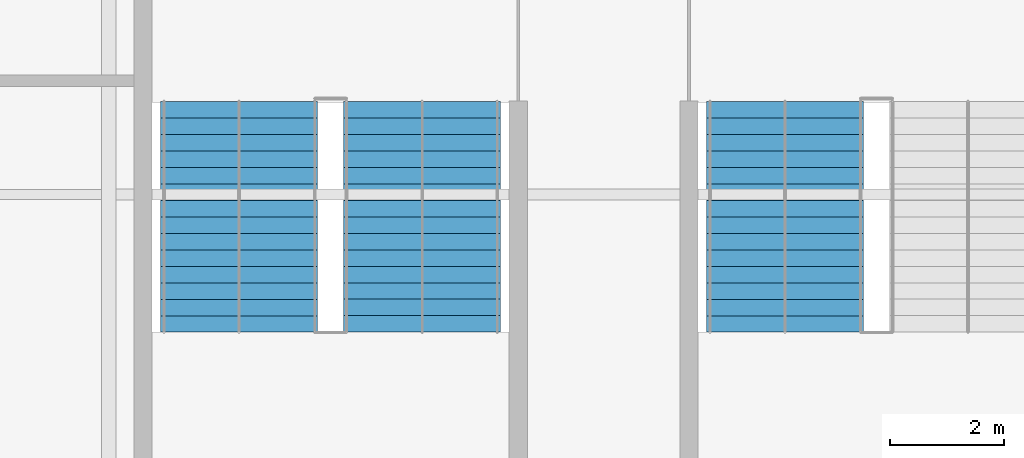
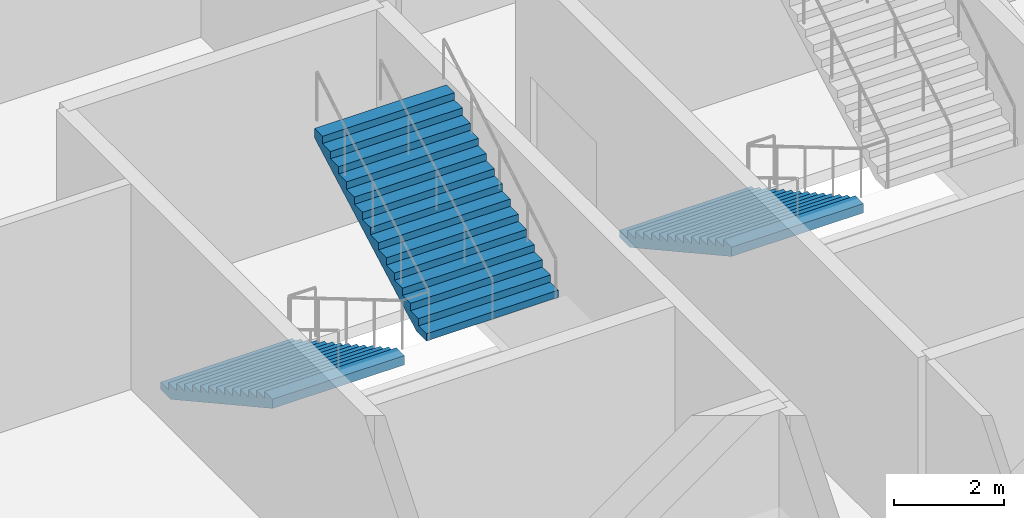
# One storey, part 124 of 136: 3 stair flights, 2 elements without a shape of their own.
"""IFC4 building model written with IfcOpenShell, lengths in metres."""

from ifc_helpers import new_model, si_unit, direction, frame, origin, place, context, subcontext, project, spatial, polygons, material, type_object, element, aggregate, save


model = new_model("IFC4")

# Units and contexts
model_context = context("Model", 3, precision=1e-05, world=origin(), true_north=direction((0.0, 1.0)))
body_context = subcontext(model_context, "Body", "Model", "MODEL_VIEW")
ifc_project = project(units=[si_unit("LENGTHUNIT", "METRE"), si_unit("AREAUNIT", "SQUARE_METRE"), si_unit("VOLUMEUNIT", "CUBIC_METRE"), si_unit("PLANEANGLEUNIT", "RADIAN"), si_unit("MASSUNIT", "GRAM", prefix="KILO")], contexts=[model_context])

# Site, building, storey
site_placement = place(None, origin())
site = spatial("IfcSite", under=ifc_project, at=site_placement, CompositionType="ELEMENT")
building_placement = place(site_placement, origin())
building = spatial("IfcBuilding", under=site, at=building_placement, Name="Kisiwana Market Hall", CompositionType="ELEMENT")
storey_placement = place(building_placement, frame((0.0, 0.0, 16.800048828125)))
storey = spatial("IfcBuildingStorey", under=building, at=storey_placement, Name="L03", CompositionType="ELEMENT", Elevation=16.800048828125)

# Stair, stair flight
ifc_material_1 = material(Name="Concrete C32/40", Category="concrete")
stair_type = type_object("IfcStairType", Name="ST-ESC-4800", PredefinedType="TWO_STRAIGHT_RUN_STAIR", material=ifc_material_1)
stair_1_placement = place(storey_placement, origin())
stair_1 = element("IfcStair", 1, at=stair_1_placement, inside=storey, type_object=stair_type, Name="Escape stair ST-E4-L03", PredefinedType="TWO_STRAIGHT_RUN_STAIR")
ifc_material_2 = material(Name="Concrete C32/40", Category="concrete")
stair_flight_type = type_object("IfcStairFlightType", Name="SF-ESC-4800", PredefinedType="STRAIGHT", material=ifc_material_2)
stair_flight_1_placement = place(storey_placement, frame((182.889892578125, 77.639892578125, 0.0), z_axis=(0.0, 0.0, 1.0), x_axis=(0.0, -1.0, 0.0)))
stair_flight_1 = element("IfcStairFlight", 2, at=stair_flight_1_placement, type_object=stair_flight_type, Name="ST-E4-L03 flight 1", NumberOfRisers=15, NumberOfTreads=14, PredefinedType="STRAIGHT", RiserHeight=0.16, TreadLength=0.29, context=body_context, shape_type="Tessellation", body=[
    polygons([(0.0, -1.380127, 0.0), (0.0, -0.690125, 0.0), (0.0, -0.000122, 0.0), (0.0, 0.68988, 0.0), (0.0, 1.379883, 0.0), (0.0, -1.380127, 0.159912), (0.0, -0.690125, 0.159912), (0.0, -0.000122, 0.159912), (0.0, 0.68988, 0.159912), (0.0, 1.379883, 0.159912), (0.290039, -1.380127, 0.159912), (0.290039, -0.690125, 0.159912), (0.290039, -0.000122, 0.159912), (0.290039, 0.68988, 0.159912), (0.290039, 1.379883, 0.159912), (0.290039, -1.380127, 0.320068), (0.290039, -0.690125, 0.320068), (0.290039, -0.000122, 0.320068), (0.290039, 0.68988, 0.320068), (0.290039, 1.379883, 0.320068), (0.580078, -1.380127, 0.320068), (0.580078, -0.690125, 0.320068), (0.580078, -0.000122, 0.320068), (0.580078, 0.68988, 0.320068), (0.580078, 1.379883, 0.320068), (0.580078, -1.380127, 0.47998), (0.580078, -0.690125, 0.47998), (0.580078, -0.000122, 0.47998), (0.580078, 0.68988, 0.47998), (0.580078, 1.379883, 0.47998), (0.870117, -1.380127, 0.47998), (0.870117, -0.690125, 0.47998), (0.870117, -0.000122, 0.47998), (0.870117, 0.68988, 0.47998), (0.870117, 1.379883, 0.47998), (0.870117, -1.380127, 0.639893), (0.870117, -0.690125, 0.639893), (0.870117, -0.000122, 0.639893), (0.870117, 0.68988, 0.639893), (0.870117, 1.379883, 0.639893), (1.159912, -1.380127, 0.639893), (1.159912, -0.690125, 0.639893), (1.159912, -0.000122, 0.639893), (1.159912, 0.68988, 0.639893), (1.159912, 1.379883, 0.639893), (1.159912, -1.380127, 0.800049), (1.159912, -0.690125, 0.800049), (1.159912, -0.000122, 0.800049), (1.159912, 0.68988, 0.800049), (1.159912, 1.379883, 0.800049), (1.449951, -1.380127, 0.800049), (1.449951, -0.690125, 0.800049), (1.449951, -0.000122, 0.800049), (1.449951, 0.68988, 0.800049), (1.449951, 1.379883, 0.800049), (1.449951, -1.380127, 0.959961), (1.449951, -0.690125, 0.959961), (1.449951, -0.000122, 0.959961), (1.449951, 0.68988, 0.959961), (1.449951, 1.379883, 0.959961), (1.73999, -1.380127, 0.959961), (1.73999, -0.690125, 0.959961), (1.73999, -0.000122, 0.959961), (1.73999, 0.68988, 0.959961), (1.73999, 1.379883, 0.959961), (1.73999, -1.380127, 1.120117), (1.73999, -0.690125, 1.120117), (1.73999, -0.000122, 1.120117), (1.73999, 0.68988, 1.120117), (1.73999, 1.379883, 1.120117), (2.030029, -1.380127, 1.120117), (2.030029, -0.690125, 1.120117), (2.030029, -0.000122, 1.120117), (2.030029, 0.68988, 1.120117), (2.030029, 1.379883, 1.120117), (2.030029, -1.380127, 1.280029), (2.030029, -0.690125, 1.280029), (2.030029, -0.000122, 1.280029), (2.030029, 0.68988, 1.280029), (2.030029, 1.379883, 1.280029), (2.320068, -1.380127, 1.280029), (2.320068, -0.690125, 1.280029), (2.320068, -0.000122, 1.280029), (2.320068, 0.68988, 1.280029), (2.320068, 1.379883, 1.280029), (2.320068, -1.380127, 1.439941), (2.320068, -0.690125, 1.439941), (2.320068, -0.000122, 1.439941), (2.320068, 0.68988, 1.439941), (2.320068, 1.379883, 1.439941), (2.610107, -1.380127, 1.439941), (2.610107, -0.690125, 1.439941), (2.610107, -0.000122, 1.439941), (2.610107, 0.68988, 1.439941), (2.610107, 1.379883, 1.439941), (2.610107, -1.380127, 1.600098), (2.610107, -0.690125, 1.600098), (2.610107, -0.000122, 1.600098), (2.610107, 0.68988, 1.600098), (2.610107, 1.379883, 1.600098), (2.899902, -1.380127, 1.600098), (2.899902, -0.690125, 1.600098), (2.899902, -0.000122, 1.600098), (2.899902, 0.68988, 1.600098), (2.899902, 1.379883, 1.600098), (2.899902, -1.380127, 1.76001), (2.899902, -0.690125, 1.76001), (2.899902, -0.000122, 1.76001), (2.899902, 0.68988, 1.76001), (2.899902, 1.379883, 1.76001), (3.189941, -1.380127, 1.76001), (3.189941, -0.690125, 1.76001), (3.189941, -0.000122, 1.76001), (3.189941, 0.68988, 1.76001), (3.189941, 1.379883, 1.76001), (3.189941, -1.380127, 1.919922), (3.189941, -0.690125, 1.919922), (3.189941, -0.000122, 1.919922), (3.189941, 0.68988, 1.919922), (3.189941, 1.379883, 1.919922), (3.47998, -1.380127, 1.919922), (3.47998, -0.690125, 1.919922), (3.47998, -0.000122, 1.919922), (3.47998, 0.68988, 1.919922), (3.47998, 1.379883, 1.919922), (3.47998, -1.380127, 2.080078), (3.47998, -0.690125, 2.080078), (3.47998, -0.000122, 2.080078), (3.47998, 0.68988, 2.080078), (3.47998, 1.379883, 2.080078), (3.77002, -1.380127, 2.080078), (3.77002, -0.690125, 2.080078), (3.77002, -0.000122, 2.080078), (3.77002, 0.68988, 2.080078), (3.77002, 1.379883, 2.080078), (3.77002, -1.380127, 2.23999), (3.77002, -0.690125, 2.23999), (3.77002, -0.000122, 2.23999), (3.77002, 0.68988, 2.23999), (3.77002, 1.379883, 2.23999), (4.060059, -1.380127, 2.23999), (4.060059, -0.690125, 2.23999), (4.060059, -0.000122, 2.23999), (4.060059, 0.68988, 2.23999), (4.060059, 1.379883, 2.23999), (4.060059, -1.380127, 2.034424), (4.060059, -0.690125, 2.034424), (4.060059, -0.000122, 2.034424), (4.060059, 0.68988, 2.034424), (4.060059, 1.379883, 2.034424), (0.372559, -1.380127, 0.0), (0.372559, -0.690125, 0.0), (0.372559, -0.000122, 0.0), (0.372559, 0.68988, 0.0), (0.372559, 1.379883, 0.0)], [[[1, 6, 7, 2]], [[2, 7, 8, 3]], [[3, 8, 9, 4]], [[4, 9, 10, 5]], [[6, 11, 12, 7]], [[7, 12, 13, 8]], [[8, 13, 14, 9]], [[9, 14, 15, 10]], [[11, 16, 17, 12]], [[12, 17, 18, 13]], [[13, 18, 19, 14]], [[14, 19, 20, 15]], [[16, 21, 22, 17]], [[17, 22, 23, 18]], [[18, 23, 24, 19]], [[19, 24, 25, 20]], [[21, 26, 27, 22]], [[22, 27, 28, 23]], [[23, 28, 29, 24]], [[24, 29, 30, 25]], [[26, 31, 32, 27]], [[27, 32, 33, 28]], [[28, 33, 34, 29]], [[29, 34, 35, 30]], [[31, 36, 37, 32]], [[32, 37, 38, 33]], [[33, 38, 39, 34]], [[34, 39, 40, 35]], [[36, 41, 42, 37]], [[37, 42, 43, 38]], [[38, 43, 44, 39]], [[39, 44, 45, 40]], [[41, 46, 47, 42]], [[42, 47, 48, 43]], [[43, 48, 49, 44]], [[44, 49, 50, 45]], [[46, 51, 52, 47]], [[47, 52, 53, 48]], [[48, 53, 54, 49]], [[49, 54, 55, 50]], [[51, 56, 57, 52]], [[52, 57, 58, 53]], [[53, 58, 59, 54]], [[54, 59, 60, 55]], [[56, 61, 62, 57]], [[57, 62, 63, 58]], [[58, 63, 64, 59]], [[59, 64, 65, 60]], [[61, 66, 67, 62]], [[62, 67, 68, 63]], [[63, 68, 69, 64]], [[64, 69, 70, 65]], [[66, 71, 72, 67]], [[67, 72, 73, 68]], [[68, 73, 74, 69]], [[69, 74, 75, 70]], [[71, 76, 77, 72]], [[72, 77, 78, 73]], [[73, 78, 79, 74]], [[74, 79, 80, 75]], [[76, 81, 82, 77]], [[77, 82, 83, 78]], [[78, 83, 84, 79]], [[79, 84, 85, 80]], [[81, 86, 87, 82]], [[82, 87, 88, 83]], [[83, 88, 89, 84]], [[84, 89, 90, 85]], [[86, 91, 92, 87]], [[87, 92, 93, 88]], [[88, 93, 94, 89]], [[89, 94, 95, 90]], [[91, 96, 97, 92]], [[92, 97, 98, 93]], [[93, 98, 99, 94]], [[94, 99, 100, 95]], [[96, 101, 102, 97]], [[97, 102, 103, 98]], [[98, 103, 104, 99]], [[99, 104, 105, 100]], [[101, 106, 107, 102]], [[102, 107, 108, 103]], [[103, 108, 109, 104]], [[104, 109, 110, 105]], [[106, 111, 112, 107]], [[107, 112, 113, 108]], [[108, 113, 114, 109]], [[109, 114, 115, 110]], [[111, 116, 117, 112]], [[112, 117, 118, 113]], [[113, 118, 119, 114]], [[114, 119, 120, 115]], [[116, 121, 122, 117]], [[117, 122, 123, 118]], [[118, 123, 124, 119]], [[119, 124, 125, 120]], [[121, 126, 127, 122]], [[122, 127, 128, 123]], [[123, 128, 129, 124]], [[124, 129, 130, 125]], [[126, 131, 132, 127]], [[127, 132, 133, 128]], [[128, 133, 134, 129]], [[129, 134, 135, 130]], [[131, 136, 137, 132]], [[132, 137, 138, 133]], [[133, 138, 139, 134]], [[134, 139, 140, 135]], [[136, 141, 142, 137]], [[137, 142, 143, 138]], [[138, 143, 144, 139]], [[139, 144, 145, 140]], [[141, 146, 147, 142]], [[142, 147, 148, 143]], [[143, 148, 149, 144]], [[144, 149, 150, 145]], [[146, 151, 152, 147]], [[147, 152, 153, 148]], [[148, 153, 154, 149]], [[149, 154, 155, 150]], [[151, 1, 2, 152]], [[152, 2, 3, 153]], [[153, 3, 4, 154]], [[154, 4, 5, 155]], [[151, 146, 141, 136, 131, 126, 121, 116, 111, 106, 101, 96, 91, 86, 81, 76, 71, 66, 61, 56, 51, 46, 41, 36, 31, 26, 21, 16, 11, 6, 1]], [[5, 10, 15, 20, 25, 30, 35, 40, 45, 50, 55, 60, 65, 70, 75, 80, 85, 90, 95, 100, 105, 110, 115, 120, 125, 130, 135, 140, 145, 150, 155]]], closed=True),
])
aggregate(stair_1, [stair_flight_1])

# Stair, stair flights
stair_2_placement = place(storey_placement, origin())
stair_2 = element("IfcStair", 3, at=stair_2_placement, inside=storey, type_object=stair_type, Name="Escape stair ST-E8-L03", PredefinedType="TWO_STRAIGHT_RUN_STAIR")
stair_flight_2_placement = place(storey_placement, frame((173.2900390625, 77.639892578125, 0.0), z_axis=(0.0, 0.0, 1.0), x_axis=(0.0, -1.0, 0.0)))
stair_flight_2 = element("IfcStairFlight", 4, at=stair_flight_2_placement, type_object=stair_flight_type, Name="ST-E8-L03 flight 1", NumberOfRisers=15, NumberOfTreads=14, PredefinedType="STRAIGHT", RiserHeight=0.16, TreadLength=0.29, context=body_context, shape_type="Tessellation", body=[
    polygons([(0.0, -1.380127, 0.0), (0.0, -0.690125, 0.0), (0.0, -0.000122, 0.0), (0.0, 0.68988, 0.0), (0.0, 1.379883, 0.0), (0.0, -1.380127, 0.159912), (0.0, -0.690125, 0.159912), (0.0, -0.000122, 0.159912), (0.0, 0.68988, 0.159912), (0.0, 1.379883, 0.159912), (0.290039, -1.380127, 0.159912), (0.290039, -0.690125, 0.159912), (0.290039, -0.000122, 0.159912), (0.290039, 0.68988, 0.159912), (0.290039, 1.379883, 0.159912), (0.290039, -1.380127, 0.320068), (0.290039, -0.690125, 0.320068), (0.290039, -0.000122, 0.320068), (0.290039, 0.68988, 0.320068), (0.290039, 1.379883, 0.320068), (0.580078, -1.380127, 0.320068), (0.580078, -0.690125, 0.320068), (0.580078, -0.000122, 0.320068), (0.580078, 0.68988, 0.320068), (0.580078, 1.379883, 0.320068), (0.580078, -1.380127, 0.47998), (0.580078, -0.690125, 0.47998), (0.580078, -0.000122, 0.47998), (0.580078, 0.68988, 0.47998), (0.580078, 1.379883, 0.47998), (0.870117, -1.380127, 0.47998), (0.870117, -0.690125, 0.47998), (0.870117, -0.000122, 0.47998), (0.870117, 0.68988, 0.47998), (0.870117, 1.379883, 0.47998), (0.870117, -1.380127, 0.639893), (0.870117, -0.690125, 0.639893), (0.870117, -0.000122, 0.639893), (0.870117, 0.68988, 0.639893), (0.870117, 1.379883, 0.639893), (1.159912, -1.380127, 0.639893), (1.159912, -0.690125, 0.639893), (1.159912, -0.000122, 0.639893), (1.159912, 0.68988, 0.639893), (1.159912, 1.379883, 0.639893), (1.159912, -1.380127, 0.800049), (1.159912, -0.690125, 0.800049), (1.159912, -0.000122, 0.800049), (1.159912, 0.68988, 0.800049), (1.159912, 1.379883, 0.800049), (1.449951, -1.380127, 0.800049), (1.449951, -0.690125, 0.800049), (1.449951, -0.000122, 0.800049), (1.449951, 0.68988, 0.800049), (1.449951, 1.379883, 0.800049), (1.449951, -1.380127, 0.959961), (1.449951, -0.690125, 0.959961), (1.449951, -0.000122, 0.959961), (1.449951, 0.68988, 0.959961), (1.449951, 1.379883, 0.959961), (1.73999, -1.380127, 0.959961), (1.73999, -0.690125, 0.959961), (1.73999, -0.000122, 0.959961), (1.73999, 0.68988, 0.959961), (1.73999, 1.379883, 0.959961), (1.73999, -1.380127, 1.120117), (1.73999, -0.690125, 1.120117), (1.73999, -0.000122, 1.120117), (1.73999, 0.68988, 1.120117), (1.73999, 1.379883, 1.120117), (2.030029, -1.380127, 1.120117), (2.030029, -0.690125, 1.120117), (2.030029, -0.000122, 1.120117), (2.030029, 0.68988, 1.120117), (2.030029, 1.379883, 1.120117), (2.030029, -1.380127, 1.280029), (2.030029, -0.690125, 1.280029), (2.030029, -0.000122, 1.280029), (2.030029, 0.68988, 1.280029), (2.030029, 1.379883, 1.280029), (2.320068, -1.380127, 1.280029), (2.320068, -0.690125, 1.280029), (2.320068, -0.000122, 1.280029), (2.320068, 0.68988, 1.280029), (2.320068, 1.379883, 1.280029), (2.320068, -1.380127, 1.439941), (2.320068, -0.690125, 1.439941), (2.320068, -0.000122, 1.439941), (2.320068, 0.68988, 1.439941), (2.320068, 1.379883, 1.439941), (2.610107, -1.380127, 1.439941), (2.610107, -0.690125, 1.439941), (2.610107, -0.000122, 1.439941), (2.610107, 0.68988, 1.439941), (2.610107, 1.379883, 1.439941), (2.610107, -1.380127, 1.600098), (2.610107, -0.690125, 1.600098), (2.610107, -0.000122, 1.600098), (2.610107, 0.68988, 1.600098), (2.610107, 1.379883, 1.600098), (2.899902, -1.380127, 1.600098), (2.899902, -0.690125, 1.600098), (2.899902, -0.000122, 1.600098), (2.899902, 0.68988, 1.600098), (2.899902, 1.379883, 1.600098), (2.899902, -1.380127, 1.76001), (2.899902, -0.690125, 1.76001), (2.899902, -0.000122, 1.76001), (2.899902, 0.68988, 1.76001), (2.899902, 1.379883, 1.76001), (3.189941, -1.380127, 1.76001), (3.189941, -0.690125, 1.76001), (3.189941, -0.000122, 1.76001), (3.189941, 0.68988, 1.76001), (3.189941, 1.379883, 1.76001), (3.189941, -1.380127, 1.919922), (3.189941, -0.690125, 1.919922), (3.189941, -0.000122, 1.919922), (3.189941, 0.68988, 1.919922), (3.189941, 1.379883, 1.919922), (3.47998, -1.380127, 1.919922), (3.47998, -0.690125, 1.919922), (3.47998, -0.000122, 1.919922), (3.47998, 0.68988, 1.919922), (3.47998, 1.379883, 1.919922), (3.47998, -1.380127, 2.080078), (3.47998, -0.690125, 2.080078), (3.47998, -0.000122, 2.080078), (3.47998, 0.68988, 2.080078), (3.47998, 1.379883, 2.080078), (3.77002, -1.380127, 2.080078), (3.77002, -0.690125, 2.080078), (3.77002, -0.000122, 2.080078), (3.77002, 0.68988, 2.080078), (3.77002, 1.379883, 2.080078), (3.77002, -1.380127, 2.23999), (3.77002, -0.690125, 2.23999), (3.77002, -0.000122, 2.23999), (3.77002, 0.68988, 2.23999), (3.77002, 1.379883, 2.23999), (4.060059, -1.380127, 2.23999), (4.060059, -0.690125, 2.23999), (4.060059, -0.000122, 2.23999), (4.060059, 0.68988, 2.23999), (4.060059, 1.379883, 2.23999), (4.060059, -1.380127, 2.034424), (4.060059, -0.690125, 2.034424), (4.060059, -0.000122, 2.034424), (4.060059, 0.68988, 2.034424), (4.060059, 1.379883, 2.034424), (0.372559, -1.380127, 0.0), (0.372559, -0.690125, 0.0), (0.372559, -0.000122, 0.0), (0.372559, 0.68988, 0.0), (0.372559, 1.379883, 0.0)], [[[1, 6, 7, 2]], [[2, 7, 8, 3]], [[3, 8, 9, 4]], [[4, 9, 10, 5]], [[6, 11, 12, 7]], [[7, 12, 13, 8]], [[8, 13, 14, 9]], [[9, 14, 15, 10]], [[11, 16, 17, 12]], [[12, 17, 18, 13]], [[13, 18, 19, 14]], [[14, 19, 20, 15]], [[16, 21, 22, 17]], [[17, 22, 23, 18]], [[18, 23, 24, 19]], [[19, 24, 25, 20]], [[21, 26, 27, 22]], [[22, 27, 28, 23]], [[23, 28, 29, 24]], [[24, 29, 30, 25]], [[26, 31, 32, 27]], [[27, 32, 33, 28]], [[28, 33, 34, 29]], [[29, 34, 35, 30]], [[31, 36, 37, 32]], [[32, 37, 38, 33]], [[33, 38, 39, 34]], [[34, 39, 40, 35]], [[36, 41, 42, 37]], [[37, 42, 43, 38]], [[38, 43, 44, 39]], [[39, 44, 45, 40]], [[41, 46, 47, 42]], [[42, 47, 48, 43]], [[43, 48, 49, 44]], [[44, 49, 50, 45]], [[46, 51, 52, 47]], [[47, 52, 53, 48]], [[48, 53, 54, 49]], [[49, 54, 55, 50]], [[51, 56, 57, 52]], [[52, 57, 58, 53]], [[53, 58, 59, 54]], [[54, 59, 60, 55]], [[56, 61, 62, 57]], [[57, 62, 63, 58]], [[58, 63, 64, 59]], [[59, 64, 65, 60]], [[61, 66, 67, 62]], [[62, 67, 68, 63]], [[63, 68, 69, 64]], [[64, 69, 70, 65]], [[66, 71, 72, 67]], [[67, 72, 73, 68]], [[68, 73, 74, 69]], [[69, 74, 75, 70]], [[71, 76, 77, 72]], [[72, 77, 78, 73]], [[73, 78, 79, 74]], [[74, 79, 80, 75]], [[76, 81, 82, 77]], [[77, 82, 83, 78]], [[78, 83, 84, 79]], [[79, 84, 85, 80]], [[81, 86, 87, 82]], [[82, 87, 88, 83]], [[83, 88, 89, 84]], [[84, 89, 90, 85]], [[86, 91, 92, 87]], [[87, 92, 93, 88]], [[88, 93, 94, 89]], [[89, 94, 95, 90]], [[91, 96, 97, 92]], [[92, 97, 98, 93]], [[93, 98, 99, 94]], [[94, 99, 100, 95]], [[96, 101, 102, 97]], [[97, 102, 103, 98]], [[98, 103, 104, 99]], [[99, 104, 105, 100]], [[101, 106, 107, 102]], [[102, 107, 108, 103]], [[103, 108, 109, 104]], [[104, 109, 110, 105]], [[106, 111, 112, 107]], [[107, 112, 113, 108]], [[108, 113, 114, 109]], [[109, 114, 115, 110]], [[111, 116, 117, 112]], [[112, 117, 118, 113]], [[113, 118, 119, 114]], [[114, 119, 120, 115]], [[116, 121, 122, 117]], [[117, 122, 123, 118]], [[118, 123, 124, 119]], [[119, 124, 125, 120]], [[121, 126, 127, 122]], [[122, 127, 128, 123]], [[123, 128, 129, 124]], [[124, 129, 130, 125]], [[126, 131, 132, 127]], [[127, 132, 133, 128]], [[128, 133, 134, 129]], [[129, 134, 135, 130]], [[131, 136, 137, 132]], [[132, 137, 138, 133]], [[133, 138, 139, 134]], [[134, 139, 140, 135]], [[136, 141, 142, 137]], [[137, 142, 143, 138]], [[138, 143, 144, 139]], [[139, 144, 145, 140]], [[141, 146, 147, 142]], [[142, 147, 148, 143]], [[143, 148, 149, 144]], [[144, 149, 150, 145]], [[146, 151, 152, 147]], [[147, 152, 153, 148]], [[148, 153, 154, 149]], [[149, 154, 155, 150]], [[151, 1, 2, 152]], [[152, 2, 3, 153]], [[153, 3, 4, 154]], [[154, 4, 5, 155]], [[151, 146, 141, 136, 131, 126, 121, 116, 111, 106, 101, 96, 91, 86, 81, 76, 71, 66, 61, 56, 51, 46, 41, 36, 31, 26, 21, 16, 11, 6, 1]], [[5, 10, 15, 20, 25, 30, 35, 40, 45, 50, 55, 60, 65, 70, 75, 80, 85, 90, 95, 100, 105, 110, 115, 120, 125, 130, 135, 140, 145, 150, 155]]], closed=True),
])
stair_flight_3_placement = place(storey_placement, frame((176.510009765625, 73.580078125, 2.39990234375), z_axis=(0.0, 0.0, 1.0), x_axis=(0.0, 1.0, 0.0)))
stair_flight_3 = element("IfcStairFlight", 5, at=stair_flight_3_placement, type_object=stair_flight_type, Name="ST-E8-L03 flight 2", NumberOfRisers=15, NumberOfTreads=14, PredefinedType="STRAIGHT", RiserHeight=0.16, TreadLength=0.29, context=body_context, shape_type="Tessellation", body=[
    polygons([(0.0, -1.380127, 0.0), (0.0, -0.690125, 0.0), (0.0, -0.000122, 0.0), (0.0, 0.68988, 0.0), (0.0, 1.379883, 0.0), (0.0, -1.380127, 0.159912), (0.0, -0.690125, 0.159912), (0.0, -0.000122, 0.159912), (0.0, 0.68988, 0.159912), (0.0, 1.379883, 0.159912), (0.290039, -1.380127, 0.159912), (0.290039, -0.690125, 0.159912), (0.290039, -0.000122, 0.159912), (0.290039, 0.68988, 0.159912), (0.290039, 1.379883, 0.159912), (0.290039, -1.380127, 0.320068), (0.290039, -0.690125, 0.320068), (0.290039, -0.000122, 0.320068), (0.290039, 0.68988, 0.320068), (0.290039, 1.379883, 0.320068), (0.580078, -1.380127, 0.320068), (0.580078, -0.690125, 0.320068), (0.580078, -0.000122, 0.320068), (0.580078, 0.68988, 0.320068), (0.580078, 1.379883, 0.320068), (0.580078, -1.380127, 0.47998), (0.580078, -0.690125, 0.47998), (0.580078, -0.000122, 0.47998), (0.580078, 0.68988, 0.47998), (0.580078, 1.379883, 0.47998), (0.870117, -1.380127, 0.47998), (0.870117, -0.690125, 0.47998), (0.870117, -0.000122, 0.47998), (0.870117, 0.68988, 0.47998), (0.870117, 1.379883, 0.47998), (0.870117, -1.380127, 0.639893), (0.870117, -0.690125, 0.639893), (0.870117, -0.000122, 0.639893), (0.870117, 0.68988, 0.639893), (0.870117, 1.379883, 0.639893), (1.159912, -1.380127, 0.639893), (1.159912, -0.690125, 0.639893), (1.159912, -0.000122, 0.639893), (1.159912, 0.68988, 0.639893), (1.159912, 1.379883, 0.639893), (1.159912, -1.380127, 0.800049), (1.159912, -0.690125, 0.800049), (1.159912, -0.000122, 0.800049), (1.159912, 0.68988, 0.800049), (1.159912, 1.379883, 0.800049), (1.449951, -1.380127, 0.800049), (1.449951, -0.690125, 0.800049), (1.449951, -0.000122, 0.800049), (1.449951, 0.68988, 0.800049), (1.449951, 1.379883, 0.800049), (1.449951, -1.380127, 0.959961), (1.449951, -0.690125, 0.959961), (1.449951, -0.000122, 0.959961), (1.449951, 0.68988, 0.959961), (1.449951, 1.379883, 0.959961), (1.73999, -1.380127, 0.959961), (1.73999, -0.690125, 0.959961), (1.73999, -0.000122, 0.959961), (1.73999, 0.68988, 0.959961), (1.73999, 1.379883, 0.959961), (1.73999, -1.380127, 1.120117), (1.73999, -0.690125, 1.120117), (1.73999, -0.000122, 1.120117), (1.73999, 0.68988, 1.120117), (1.73999, 1.379883, 1.120117), (2.030029, -1.380127, 1.120117), (2.030029, -0.690125, 1.120117), (2.030029, -0.000122, 1.120117), (2.030029, 0.68988, 1.120117), (2.030029, 1.379883, 1.120117), (2.030029, -1.380127, 1.280029), (2.030029, -0.690125, 1.280029), (2.030029, -0.000122, 1.280029), (2.030029, 0.68988, 1.280029), (2.030029, 1.379883, 1.280029), (2.320068, -1.380127, 1.280029), (2.320068, -0.690125, 1.280029), (2.320068, -0.000122, 1.280029), (2.320068, 0.68988, 1.280029), (2.320068, 1.379883, 1.280029), (2.320068, -1.380127, 1.439941), (2.320068, -0.690125, 1.439941), (2.320068, -0.000122, 1.439941), (2.320068, 0.68988, 1.439941), (2.320068, 1.379883, 1.439941), (2.610107, -1.380127, 1.439941), (2.610107, -0.690125, 1.439941), (2.610107, -0.000122, 1.439941), (2.610107, 0.68988, 1.439941), (2.610107, 1.379883, 1.439941), (2.610107, -1.380127, 1.600098), (2.610107, -0.690125, 1.600098), (2.610107, -0.000122, 1.600098), (2.610107, 0.68988, 1.600098), (2.610107, 1.379883, 1.600098), (2.899902, -1.380127, 1.600098), (2.899902, -0.690125, 1.600098), (2.899902, -0.000122, 1.600098), (2.899902, 0.68988, 1.600098), (2.899902, 1.379883, 1.600098), (2.899902, -1.380127, 1.76001), (2.899902, -0.690125, 1.76001), (2.899902, -0.000122, 1.76001), (2.899902, 0.68988, 1.76001), (2.899902, 1.379883, 1.76001), (3.189941, -1.380127, 1.76001), (3.189941, -0.690125, 1.76001), (3.189941, -0.000122, 1.76001), (3.189941, 0.68988, 1.76001), (3.189941, 1.379883, 1.76001), (3.189941, -1.380127, 1.919922), (3.189941, -0.690125, 1.919922), (3.189941, -0.000122, 1.919922), (3.189941, 0.68988, 1.919922), (3.189941, 1.379883, 1.919922), (3.47998, -1.380127, 1.919922), (3.47998, -0.690125, 1.919922), (3.47998, -0.000122, 1.919922), (3.47998, 0.68988, 1.919922), (3.47998, 1.379883, 1.919922), (3.47998, -1.380127, 2.080078), (3.47998, -0.690125, 2.080078), (3.47998, -0.000122, 2.080078), (3.47998, 0.68988, 2.080078), (3.47998, 1.379883, 2.080078), (3.77002, -1.380127, 2.080078), (3.77002, -0.690125, 2.080078), (3.77002, -0.000122, 2.080078), (3.77002, 0.68988, 2.080078), (3.77002, 1.379883, 2.080078), (3.77002, -1.380127, 2.23999), (3.77002, -0.690125, 2.23999), (3.77002, -0.000122, 2.23999), (3.77002, 0.68988, 2.23999), (3.77002, 1.379883, 2.23999), (4.060059, -1.380127, 2.23999), (4.060059, -0.690125, 2.23999), (4.060059, -0.000122, 2.23999), (4.060059, 0.68988, 2.23999), (4.060059, 1.379883, 2.23999), (4.060059, -1.380127, 2.034424), (4.060059, -0.690125, 2.034424), (4.060059, -0.000122, 2.034424), (4.060059, 0.68988, 2.034424), (4.060059, 1.379883, 2.034424), (0.372559, -1.380127, 0.0), (0.372559, -0.690125, 0.0), (0.372559, -0.000122, 0.0), (0.372559, 0.68988, 0.0), (0.372559, 1.379883, 0.0)], [[[1, 6, 7, 2]], [[2, 7, 8, 3]], [[3, 8, 9, 4]], [[4, 9, 10, 5]], [[6, 11, 12, 7]], [[7, 12, 13, 8]], [[8, 13, 14, 9]], [[9, 14, 15, 10]], [[11, 16, 17, 12]], [[12, 17, 18, 13]], [[13, 18, 19, 14]], [[14, 19, 20, 15]], [[16, 21, 22, 17]], [[17, 22, 23, 18]], [[18, 23, 24, 19]], [[19, 24, 25, 20]], [[21, 26, 27, 22]], [[22, 27, 28, 23]], [[23, 28, 29, 24]], [[24, 29, 30, 25]], [[26, 31, 32, 27]], [[27, 32, 33, 28]], [[28, 33, 34, 29]], [[29, 34, 35, 30]], [[31, 36, 37, 32]], [[32, 37, 38, 33]], [[33, 38, 39, 34]], [[34, 39, 40, 35]], [[36, 41, 42, 37]], [[37, 42, 43, 38]], [[38, 43, 44, 39]], [[39, 44, 45, 40]], [[41, 46, 47, 42]], [[42, 47, 48, 43]], [[43, 48, 49, 44]], [[44, 49, 50, 45]], [[46, 51, 52, 47]], [[47, 52, 53, 48]], [[48, 53, 54, 49]], [[49, 54, 55, 50]], [[51, 56, 57, 52]], [[52, 57, 58, 53]], [[53, 58, 59, 54]], [[54, 59, 60, 55]], [[56, 61, 62, 57]], [[57, 62, 63, 58]], [[58, 63, 64, 59]], [[59, 64, 65, 60]], [[61, 66, 67, 62]], [[62, 67, 68, 63]], [[63, 68, 69, 64]], [[64, 69, 70, 65]], [[66, 71, 72, 67]], [[67, 72, 73, 68]], [[68, 73, 74, 69]], [[69, 74, 75, 70]], [[71, 76, 77, 72]], [[72, 77, 78, 73]], [[73, 78, 79, 74]], [[74, 79, 80, 75]], [[76, 81, 82, 77]], [[77, 82, 83, 78]], [[78, 83, 84, 79]], [[79, 84, 85, 80]], [[81, 86, 87, 82]], [[82, 87, 88, 83]], [[83, 88, 89, 84]], [[84, 89, 90, 85]], [[86, 91, 92, 87]], [[87, 92, 93, 88]], [[88, 93, 94, 89]], [[89, 94, 95, 90]], [[91, 96, 97, 92]], [[92, 97, 98, 93]], [[93, 98, 99, 94]], [[94, 99, 100, 95]], [[96, 101, 102, 97]], [[97, 102, 103, 98]], [[98, 103, 104, 99]], [[99, 104, 105, 100]], [[101, 106, 107, 102]], [[102, 107, 108, 103]], [[103, 108, 109, 104]], [[104, 109, 110, 105]], [[106, 111, 112, 107]], [[107, 112, 113, 108]], [[108, 113, 114, 109]], [[109, 114, 115, 110]], [[111, 116, 117, 112]], [[112, 117, 118, 113]], [[113, 118, 119, 114]], [[114, 119, 120, 115]], [[116, 121, 122, 117]], [[117, 122, 123, 118]], [[118, 123, 124, 119]], [[119, 124, 125, 120]], [[121, 126, 127, 122]], [[122, 127, 128, 123]], [[123, 128, 129, 124]], [[124, 129, 130, 125]], [[126, 131, 132, 127]], [[127, 132, 133, 128]], [[128, 133, 134, 129]], [[129, 134, 135, 130]], [[131, 136, 137, 132]], [[132, 137, 138, 133]], [[133, 138, 139, 134]], [[134, 139, 140, 135]], [[136, 141, 142, 137]], [[137, 142, 143, 138]], [[138, 143, 144, 139]], [[139, 144, 145, 140]], [[141, 146, 147, 142]], [[142, 147, 148, 143]], [[143, 148, 149, 144]], [[144, 149, 150, 145]], [[146, 151, 152, 147]], [[147, 152, 153, 148]], [[148, 153, 154, 149]], [[149, 154, 155, 150]], [[151, 1, 2, 152]], [[152, 2, 3, 153]], [[153, 3, 4, 154]], [[154, 4, 5, 155]], [[151, 146, 141, 136, 131, 126, 121, 116, 111, 106, 101, 96, 91, 86, 81, 76, 71, 66, 61, 56, 51, 46, 41, 36, 31, 26, 21, 16, 11, 6, 1]], [[5, 10, 15, 20, 25, 30, 35, 40, 45, 50, 55, 60, 65, 70, 75, 80, 85, 90, 95, 100, 105, 110, 115, 120, 125, 130, 135, 140, 145, 150, 155]]], closed=True),
])
aggregate(stair_2, [stair_flight_2, stair_flight_3])

save(model, "model.ifc")
